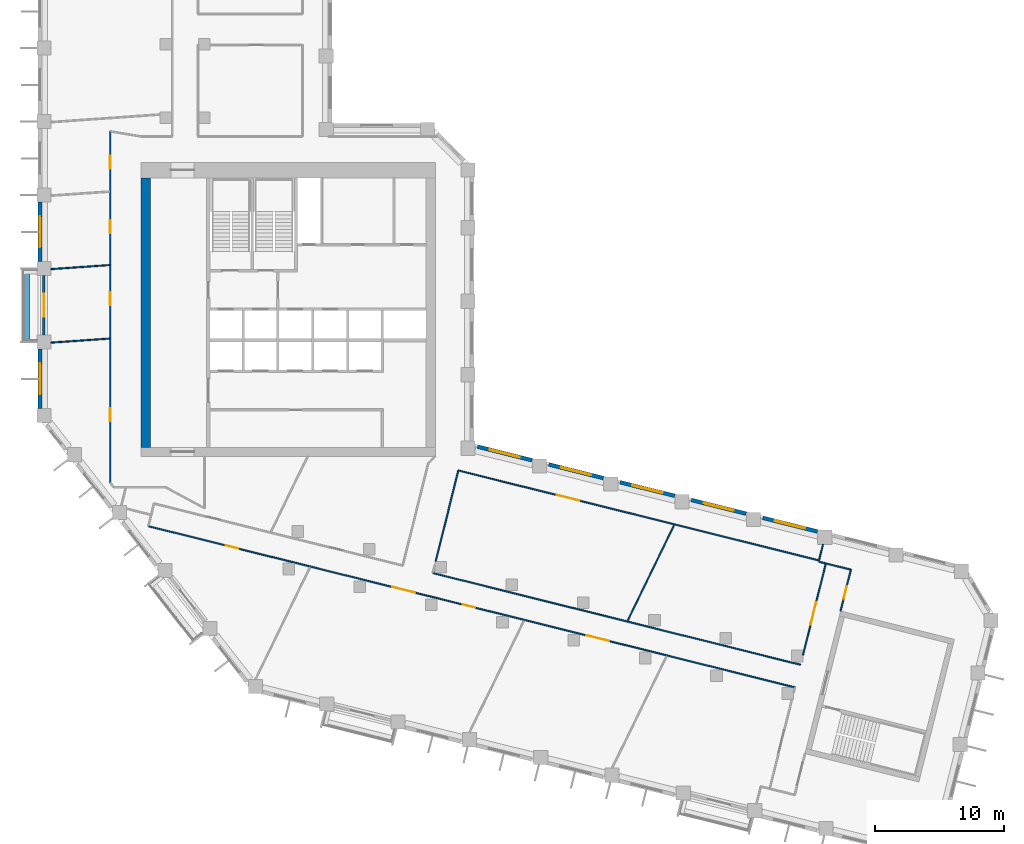
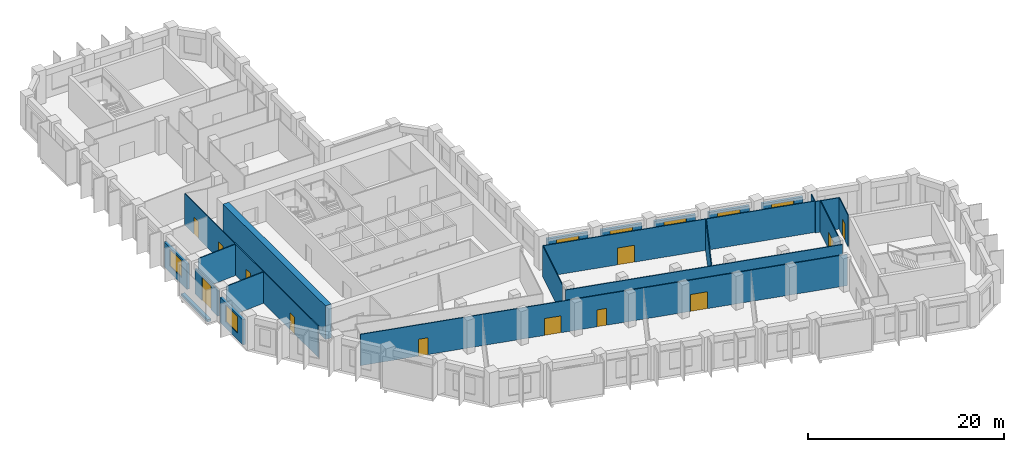
# One storey, part 4 of 10: 23 walls, 12 doors, 7 windows, 19 openings.
"""IFC4 building model written with IfcOpenShell, lengths in metres."""

import ifcopenshell
import ifcopenshell.guid

model = None  # the IFC model being written
_history = None  # IfcOwnerHistory: only IFC2X3 demands one
_inside = {}  # id of a spatial element -> (the spatial element, [elements in it])
_under = {}  # id of a project, library or spatial element -> (it, [spatial elements below it])
_declared = {}  # id of a project -> (the project, [libraries it declares])
_typed = {}  # id of a type object -> (the type object, [elements of that type])
_made_of = {}  # id of a material, layer set ... -> (it, [elements and type objects made of it])


def new_model(schema):
    """Start an empty IFC model of exactly this schema.

    Asked for "IFC4X3", IfcOpenShell would pick the latest addendum, in which some entities
    have other attributes; the version numbers below select the first issue.
    IFC2X3 requires an IfcOwnerHistory on every rooted entity: one is made here for all.
    """
    global model, _history
    if schema == "IFC4X3":
        model = ifcopenshell.file(schema_version=(4, 3, 0, 0))
    else:
        model = ifcopenshell.file(schema=schema)
    _inside.clear()
    _under.clear()
    _declared.clear()
    _typed.clear()
    _made_of.clear()
    _history = None
    if model.schema == "IFC2X3":
        org = make("IfcOrganization", Name="unknown")
        user = make(
            "IfcPersonAndOrganization",
            ThePerson=make("IfcPerson", FamilyName="unknown"),
            TheOrganization=org,
        )
        app = make(
            "IfcApplication",
            ApplicationDeveloper=org,
            Version="unknown",
            ApplicationFullName="unknown",
            ApplicationIdentifier="unknown",
        )
        _history = make(
            "IfcOwnerHistory",
            OwningUser=user,
            OwningApplication=app,
            ChangeAction="ADDED",
            CreationDate=0,
        )
    return model


def make(cls, **values):
    """One entity of the class cls with the attributes given. An attribute that is None is left unset."""
    return model.create_entity(
        cls, **{name: value for name, value in values.items() if value is not None}
    )


def rooted(cls, **values):
    """An entity with a GlobalId (a new one), such as an element, a storey or a relation."""
    return make(cls, GlobalId=ifcopenshell.guid.new(), OwnerHistory=_history, **values)


def si_unit(unit_type, name, prefix=None):
    """IfcSIUnit, for example si_unit("LENGTHUNIT", "METRE", prefix="MILLI")."""
    return make("IfcSIUnit", UnitType=unit_type, Prefix=prefix, Name=name)


def assignment(units):
    """IfcUnitAssignment: the units of a project."""
    return None if units is None else make("IfcUnitAssignment", Units=units)


def point(xyz):
    """IfcCartesianPoint."""
    return None if xyz is None else make("IfcCartesianPoint", Coordinates=xyz)


def direction(xyz):
    """IfcDirection."""
    return None if xyz is None else make("IfcDirection", DirectionRatios=xyz)


def frame(location, z_axis=None, x_axis=None):
    """IfcAxis2Placement3D, a coordinate frame: its origin and axes. An axis left out is left unset."""
    return make(
        "IfcAxis2Placement3D",
        Location=point(location),
        Axis=direction(z_axis),
        RefDirection=direction(x_axis),
    )


def frame_2d(location, x_axis=None):
    """IfcAxis2Placement2D, a coordinate frame in the plane: its origin and x axis."""
    return make(
        "IfcAxis2Placement2D", Location=point(location), RefDirection=direction(x_axis)
    )


def origin():
    """The frame at (0, 0, 0) with its axes left unset."""
    return frame((0.0, 0.0, 0.0))


def place(relative_to, where):
    """IfcLocalPlacement: puts the frame where relative to a parent placement (None: the world)."""
    return make(
        "IfcLocalPlacement", PlacementRelTo=relative_to, RelativePlacement=where
    )


def context(
    kind, dimensions, precision=None, world=None, true_north=None, identifier=None
):
    """IfcGeometricRepresentationContext, for example the 3D "Model" context."""
    return make(
        "IfcGeometricRepresentationContext",
        ContextIdentifier=identifier,
        ContextType=kind,
        CoordinateSpaceDimension=dimensions,
        Precision=precision,
        WorldCoordinateSystem=world,
        TrueNorth=true_north,
    )


def subcontext(parent, identifier, kind, view, scale=None):
    """IfcGeometricRepresentationSubContext, for example "Body" below "Model"."""
    return make(
        "IfcGeometricRepresentationSubContext",
        ContextIdentifier=identifier,
        ContextType=kind,
        ParentContext=parent,
        TargetScale=scale,
        TargetView=view,
    )


def project(units=None, contexts=None):
    """IfcProject with its units and contexts."""
    return rooted(
        "IfcProject",
        Name="project",
        RepresentationContexts=contexts,
        UnitsInContext=assignment(units),
    )


def spatial(cls, under=None, at=None, **own):
    """A site, building, storey or space (cls), placed at a placement, below another one or the project."""
    s = rooted(cls, ObjectPlacement=at, **own)
    if under is not None:
        _under.setdefault(under.id(), (under, []))[1].append(s)
    return s


def profile(cls, at=None, kind="AREA", **sizes):
    """A parametric profile (cls). Its sizes go by their IFC names, for example OverallWidth=200.0."""
    return make(cls, ProfileType=kind, Position=at, **sizes)


def rectangle(**sizes):
    """IfcRectangleProfileDef."""
    return profile("IfcRectangleProfileDef", **sizes)


def extrude(swept, where, along, depth):
    """IfcExtrudedAreaSolid: the profile swept, set in the frame where, extruded along a direction by depth."""
    return make(
        "IfcExtrudedAreaSolid",
        SweptArea=swept,
        Position=where,
        ExtrudedDirection=direction(along),
        Depth=depth,
    )


def shape(context_of_items, identifier, shape_type, items):
    """IfcShapeRepresentation: the items that make up one representation, for example the "Body"."""
    return make(
        "IfcShapeRepresentation",
        ContextOfItems=context_of_items,
        RepresentationIdentifier=identifier,
        RepresentationType=shape_type,
        Items=items,
    )


def material(Name=None, Category=None):
    """IfcMaterial."""
    return make("IfcMaterial", Name=Name, Category=Category)


def layer(
    of_material, thickness, ventilated=None, Name=None, Category=None, Priority=None
):
    """IfcMaterialLayer: one layer of a wall or slab, of a material (None: an air gap)."""
    return make(
        "IfcMaterialLayer",
        Material=of_material,
        LayerThickness=thickness,
        IsVentilated=ventilated,
        Name=Name,
        Category=Category,
        Priority=Priority,
    )


def layer_set(layers, Name=None):
    """IfcMaterialLayerSet."""
    return make("IfcMaterialLayerSet", MaterialLayers=layers, LayerSetName=Name)


def made_of(thing, what):
    """Note that an element or type object is made of a material, layer set ...; save() writes the relation."""
    if what is not None:
        _made_of.setdefault(what.id(), (what, []))[1].append(thing)
    return thing


def type_object(cls, material=None, **own):
    """A type object (cls), such as IfcWallType, which elements share."""
    return made_of(rooted(cls, **own), material)


def element(
    cls,
    number,
    at=None,
    inside=None,
    cuts=None,
    type_object=None,
    material=None,
    context=None,
    identifier="Body",
    shape_type=None,
    held_by="IfcProductDefinitionShape",
    body=None,
    shapes=None,
    **own,
):
    """One element of the class cls, such as IfcWall. Its Tag is "e" and its number.

    at: its placement. inside: the storey or other place that contains it. cuts: it is an
    opening in that element (IfcRelVoidsElement). A single representation is given by context,
    identifier, shape_type and body (its items); several are given by shapes. held_by: the class
    of the entity that holds the representations. save() writes the other relations.
    """
    e = rooted(cls, Tag="e%d" % number, ObjectPlacement=at, **own)
    if body is not None:
        shapes = [shape(context, identifier, shape_type, body)]
    if shapes is not None:
        e.Representation = make(held_by, Representations=shapes)
    if inside is not None:
        _inside.setdefault(inside.id(), (inside, []))[1].append(e)
    if cuts is not None:
        rooted(
            "IfcRelVoidsElement", RelatingBuildingElement=cuts, RelatedOpeningElement=e
        )
    if type_object is not None:
        _typed.setdefault(type_object.id(), (type_object, []))[1].append(e)
    return made_of(e, material)


def fill(opening, filler):
    """IfcRelFillsElement: the door or window that sits in an opening."""
    return rooted(
        "IfcRelFillsElement",
        RelatingOpeningElement=opening,
        RelatedBuildingElement=filler,
    )


def aggregate(whole, parts):
    """IfcRelAggregates: a whole, such as a stair, and the parts it consists of."""
    return rooted("IfcRelAggregates", RelatingObject=whole, RelatedObjects=parts)


def save(model, path):
    """Write the relations noted so far, then the file.

    IfcRelAggregates (storeys below a building ...), IfcRelContainedInSpatialStructure (elements
    in a storey), IfcRelDefinesByType, IfcRelAssociatesMaterial and IfcRelDeclares: one each for
    every whole, place, type object, material and project.
    """
    for whole, parts in _under.values():
        aggregate(whole, parts)
    for where, things in _inside.values():
        rooted(
            "IfcRelContainedInSpatialStructure",
            RelatedElements=things,
            RelatingStructure=where,
        )
    for kind, things in _typed.values():
        rooted("IfcRelDefinesByType", RelatedObjects=things, RelatingType=kind)
    for what, things in _made_of.values():
        rooted("IfcRelAssociatesMaterial", RelatedObjects=things, RelatingMaterial=what)
    for by, libraries in _declared.values():
        rooted("IfcRelDeclares", RelatingContext=by, RelatedDefinitions=libraries)
    model.write(path)


model = new_model("IFC4")

# Units and contexts
model_context = context("Model", 3, precision=1e-05, world=origin(), true_north=direction((0.0, 1.0)))
body_context = subcontext(model_context, "Body", "Model", "MODEL_VIEW")
ifc_project = project(units=[si_unit("LENGTHUNIT", "METRE"), si_unit("AREAUNIT", "SQUARE_METRE"), si_unit("VOLUMEUNIT", "CUBIC_METRE"), si_unit("PLANEANGLEUNIT", "RADIAN"), si_unit("MASSUNIT", "GRAM", prefix="KILO")], contexts=[model_context])

# Site, building, storey
site_placement = place(None, origin())
site = spatial("IfcSite", under=ifc_project, at=site_placement, CompositionType="ELEMENT")
building_placement = place(site_placement, origin())
building = spatial("IfcBuilding", under=site, at=building_placement, Name="Meshkara Civic Tower", CompositionType="ELEMENT")
storey_placement = place(building_placement, frame((0.0, 0.0, 276.0)))
storey = spatial("IfcBuildingStorey", under=building, at=storey_placement, Name="L63", CompositionType="ELEMENT", Elevation=276.0)

# Wall
ifc_material_1 = material(Name="Concrete C60", Category="concrete")
ifc_layer_1 = layer(ifc_material_1, 0.699951171875)
ifc_layer_set_1 = layer_set([ifc_layer_1], Name="Core ring wall 700 C60")
wall_type_1 = type_object("IfcWallType", Name="Core ring wall 700 C60", PredefinedType="SHEAR", material=ifc_layer_set_1)
wall_1_placement = place(storey_placement, frame((8.35009765625, 14.800048828125, -0.300048828125), z_axis=(0.0, 0.0, 1.0), x_axis=(0.0, 1.0, 0.0)))
element("IfcWall", 1, at=wall_1_placement, inside=storey, type_object=wall_type_1, Name="L63-C003", PredefinedType="SHEAR", context=body_context, shape_type="SweptSolid", body=[
    extrude(rectangle(XDim=20.89990234375, YDim=0.699951171875, at=frame_2d((10.449951171875, 0.0))), origin(), (0.0, 0.0, 1.0), 4.199951171875),
])

# Wall, openings, doors
ifc_material_2 = material(Name="Corridor wall 100")
ifc_layer_2 = layer(ifc_material_2, 0.10009765625)
ifc_layer_set_2 = layer_set([ifc_layer_2], Name="Corridor wall 100")
wall_type_2 = type_object("IfcWallType", Name="Corridor wall 100", PredefinedType="PARTITIONING", material=ifc_layer_set_2)
wall_2_placement = place(storey_placement, frame((5.60009765625, 12.04296875, 0.0), z_axis=(0.0, 0.0, 1.0), x_axis=(0.0, 1.0, 0.0)))
wall_2 = element("IfcWall", 2, at=wall_2_placement, inside=storey, type_object=wall_type_2, Name="L63-W003", PredefinedType="PARTITIONING", context=body_context, shape_type="SweptSolid", body=[
    extrude(rectangle(XDim=27.257080078125, YDim=0.10009765625, at=frame_2d((13.62841796875, 0.0))), origin(), (0.0, 0.0, 1.0), 3.89990234375),
])
opening_1_placement = place(wall_2_placement, frame((4.780029296875, 0.0, 0.0)))
opening_1 = element("IfcOpeningElement", 3, at=opening_1_placement, cuts=wall_2, Name="Opening L63-D012", PredefinedType="OPENING", context=body_context, shape_type="SweptSolid", body=[
    extrude(rectangle(XDim=1.0, YDim=2.10009765625, at=frame_2d((0.5, 1.050048828125))), frame((0.0, 0.06005859375, 0.0), z_axis=(0.0, -1.0, 0.0), x_axis=(1.0, 0.0, 0.0)), (0.0, 0.0, 1.0), 0.1201171875),
])
opening_2_placement = place(wall_2_placement, frame((13.76806640625, 0.0, 0.0)))
opening_2 = element("IfcOpeningElement", 4, at=opening_2_placement, cuts=wall_2, Name="Opening L63-D013", PredefinedType="OPENING", context=body_context, shape_type="SweptSolid", body=[
    extrude(rectangle(XDim=1.0, YDim=2.10009765625, at=frame_2d((0.5, 1.050048828125))), frame((0.0, 0.06005859375, 0.0), z_axis=(0.0, -1.0, 0.0), x_axis=(1.0, 0.0, 0.0)), (0.0, 0.0, 1.0), 0.1201171875),
])
opening_3_placement = place(wall_2_placement, frame((19.367919921875, 0.0, 0.0)))
opening_3 = element("IfcOpeningElement", 5, at=opening_3_placement, cuts=wall_2, Name="Opening L63-D014", PredefinedType="OPENING", context=body_context, shape_type="SweptSolid", body=[
    extrude(rectangle(XDim=1.0, YDim=2.10009765625, at=frame_2d((0.5, 1.050048828125))), frame((0.0, 0.06005859375, 0.0), z_axis=(0.0, -1.0, 0.0), x_axis=(1.0, 0.0, 0.0)), (0.0, 0.0, 1.0), 0.1201171875),
])
opening_4_placement = place(wall_2_placement, frame((24.367919921875, 0.0, 0.0)))
opening_4 = element("IfcOpeningElement", 6, at=opening_4_placement, cuts=wall_2, Name="Opening L63-D015", PredefinedType="OPENING", context=body_context, shape_type="SweptSolid", body=[
    extrude(rectangle(XDim=1.0, YDim=2.10009765625, at=frame_2d((0.5, 1.050048828125))), frame((0.0, 0.06005859375, 0.0), z_axis=(0.0, -1.0, 0.0), x_axis=(1.0, 0.0, 0.0)), (0.0, 0.0, 1.0), 0.1201171875),
])
ifc_material_3 = material(Name="Door 1000 x 2100")
door_type_1 = type_object("IfcDoorType", Name="Door 1000 x 2100", OperationType="SINGLE_SWING_LEFT", PredefinedType="DOOR", material=ifc_material_3)
door_1_placement = place(opening_1_placement, origin())
door_1 = element("IfcDoor", 7, at=door_1_placement, inside=storey, type_object=door_type_1, Name="L63-D012", OperationType="SINGLE_SWING_LEFT", OverallHeight=2.10009765625, OverallWidth=1.0, PredefinedType="DOOR", context=body_context, shape_type="SweptSolid", body=[
    extrude(rectangle(XDim=1.0, YDim=2.10009765625, at=frame_2d((0.5, 1.050048828125))), frame((0.0, 0.02490234375, 0.0), z_axis=(0.0, -1.0, 0.0), x_axis=(1.0, 0.0, 0.0)), (0.0, 0.0, 1.0), 0.050048828125),
])
fill(opening_1, door_1)
door_2_placement = place(opening_2_placement, origin())
door_2 = element("IfcDoor", 8, at=door_2_placement, inside=storey, type_object=door_type_1, Name="L63-D013", OperationType="SINGLE_SWING_RIGHT", OverallHeight=2.10009765625, OverallWidth=1.0, PredefinedType="DOOR", context=body_context, shape_type="SweptSolid", body=[
    extrude(rectangle(XDim=1.0, YDim=2.10009765625, at=frame_2d((0.5, 1.050048828125))), frame((0.0, 0.02490234375, 0.0), z_axis=(0.0, -1.0, 0.0), x_axis=(1.0, 0.0, 0.0)), (0.0, 0.0, 1.0), 0.050048828125),
])
fill(opening_2, door_2)
door_3_placement = place(opening_3_placement, origin())
door_3 = element("IfcDoor", 9, at=door_3_placement, inside=storey, type_object=door_type_1, Name="L63-D014", OperationType="SINGLE_SWING_RIGHT", OverallHeight=2.10009765625, OverallWidth=1.0, PredefinedType="DOOR", context=body_context, shape_type="SweptSolid", body=[
    extrude(rectangle(XDim=1.0, YDim=2.10009765625, at=frame_2d((0.5, 1.050048828125))), frame((0.0, 0.02490234375, 0.0), z_axis=(0.0, -1.0, 0.0), x_axis=(1.0, 0.0, 0.0)), (0.0, 0.0, 1.0), 0.050048828125),
])
fill(opening_3, door_3)
door_4_placement = place(opening_4_placement, origin())
door_4 = element("IfcDoor", 10, at=door_4_placement, inside=storey, type_object=door_type_1, Name="L63-D015", OperationType="SINGLE_SWING_LEFT", OverallHeight=2.10009765625, OverallWidth=1.0, PredefinedType="DOOR", context=body_context, shape_type="SweptSolid", body=[
    extrude(rectangle(XDim=1.0, YDim=2.10009765625, at=frame_2d((0.5, 1.050048828125))), frame((0.0, 0.02490234375, 0.0), z_axis=(0.0, -1.0, 0.0), x_axis=(1.0, 0.0, 0.0)), (0.0, 0.0, 1.0), 0.050048828125),
])
fill(opening_4, door_4)

wall_3_placement = place(storey_placement, frame((8.550048828125, 8.68505859375, 0.0), z_axis=(0.0, 0.0, 1.0), x_axis=(0.970297101369, -0.241916380335, 0.0)))
wall_3 = element("IfcWall", 11, at=wall_3_placement, inside=storey, type_object=wall_type_2, Name="L63-W008", PredefinedType="PARTITIONING", context=body_context, shape_type="SweptSolid", body=[
    extrude(rectangle(XDim=51.6748046875, YDim=0.10009765625, at=frame_2d((25.83740234375, 0.0))), origin(), (0.0, 0.0, 1.0), 3.89990234375),
])
opening_5_placement = place(wall_3_placement, frame((35.01806640625, 0.0, 0.0)))
opening_5 = element("IfcOpeningElement", 12, at=opening_5_placement, cuts=wall_3, Name="Opening L63-D003", PredefinedType="OPENING", context=body_context, shape_type="SweptSolid", body=[
    extrude(rectangle(XDim=1.800048828125, YDim=2.10009765625, at=frame_2d((0.89990234375, 1.050048828125))), frame((0.0, 0.06005859375, 0.0), z_axis=(0.0, -1.0, 0.0), x_axis=(1.0, 0.0, 0.0)), (0.0, 0.0, 1.0), 0.1201171875),
])
opening_6_placement = place(wall_3_placement, frame((19.51806640625, 0.0, 0.0)))
opening_6 = element("IfcOpeningElement", 13, at=opening_6_placement, cuts=wall_3, Name="Opening L63-D004", PredefinedType="OPENING", context=body_context, shape_type="SweptSolid", body=[
    extrude(rectangle(XDim=1.800048828125, YDim=2.10009765625, at=frame_2d((0.89990234375, 1.050048828125))), frame((0.0, 0.06005859375, 0.0), z_axis=(0.0, -1.0, 0.0), x_axis=(1.0, 0.0, 0.0)), (0.0, 0.0, 1.0), 0.1201171875),
])
opening_7_placement = place(wall_3_placement, frame((25.117919921875, 0.0, 0.0)))
opening_7 = element("IfcOpeningElement", 14, at=opening_7_placement, cuts=wall_3, Name="Opening L63-D005", PredefinedType="OPENING", context=body_context, shape_type="SweptSolid", body=[
    extrude(rectangle(XDim=1.0, YDim=2.10009765625, at=frame_2d((0.5, 1.050048828125))), frame((0.0, 0.06005859375, 0.0), z_axis=(0.0, -1.0, 0.0), x_axis=(1.0, 0.0, 0.0)), (0.0, 0.0, 1.0), 0.1201171875),
])
opening_8_placement = place(wall_3_placement, frame((6.179931640625, 0.0, 0.0)))
opening_8 = element("IfcOpeningElement", 15, at=opening_8_placement, cuts=wall_3, Name="Opening L63-D009", PredefinedType="OPENING", context=body_context, shape_type="SweptSolid", body=[
    extrude(rectangle(XDim=1.0, YDim=2.10009765625, at=frame_2d((0.5, 1.050048828125))), frame((0.0, 0.06005859375, 0.0), z_axis=(0.0, -1.0, 0.0), x_axis=(1.0, 0.0, 0.0)), (0.0, 0.0, 1.0), 0.1201171875),
])
door_5_placement = place(opening_7_placement, origin())
door_5 = element("IfcDoor", 16, at=door_5_placement, inside=storey, type_object=door_type_1, Name="L63-D005", OperationType="SINGLE_SWING_LEFT", OverallHeight=2.10009765625, OverallWidth=1.0, PredefinedType="DOOR", context=body_context, shape_type="SweptSolid", body=[
    extrude(rectangle(XDim=1.0, YDim=2.10009765625, at=frame_2d((0.5, 1.050048828125))), frame((0.0, 0.02490234375, 0.0), z_axis=(0.0, -1.0, 0.0), x_axis=(1.0, 0.0, 0.0)), (0.0, 0.0, 1.0), 0.050048828125),
])
fill(opening_7, door_5)
door_6_placement = place(opening_8_placement, origin())
door_6 = element("IfcDoor", 17, at=door_6_placement, inside=storey, type_object=door_type_1, Name="L63-D009", OperationType="SINGLE_SWING_LEFT", OverallHeight=2.10009765625, OverallWidth=1.0, PredefinedType="DOOR", context=body_context, shape_type="SweptSolid", body=[
    extrude(rectangle(XDim=1.0, YDim=2.10009765625, at=frame_2d((0.5, 1.050048828125))), frame((0.0, 0.02490234375, 0.0), z_axis=(0.0, -1.0, 0.0), x_axis=(1.0, 0.0, 0.0)), (0.0, 0.0, 1.0), 0.050048828125),
])
fill(opening_8, door_6)
ifc_material_4 = material(Name="Door pair 1800 x 2100")
door_type_2 = type_object("IfcDoorType", Name="Door pair 1800 x 2100", OperationType="SINGLE_SWING_LEFT", PredefinedType="DOOR", material=ifc_material_4)
door_7_placement = place(opening_5_placement, origin())
door_7 = element("IfcDoor", 18, at=door_7_placement, inside=storey, type_object=door_type_2, Name="L63-D003", OperationType="DOUBLE_DOOR_SINGLE_SWING", OverallHeight=2.10009765625, OverallWidth=1.800048828125, PredefinedType="DOOR", context=body_context, shape_type="SweptSolid", body=[
    extrude(rectangle(XDim=1.800048828125, YDim=2.10009765625, at=frame_2d((0.89990234375, 1.050048828125))), frame((0.0, 0.02490234375, 0.0), z_axis=(0.0, -1.0, 0.0), x_axis=(1.0, 0.0, 0.0)), (0.0, 0.0, 1.0), 0.050048828125),
])
fill(opening_5, door_7)
door_8_placement = place(opening_6_placement, origin())
door_8 = element("IfcDoor", 19, at=door_8_placement, inside=storey, type_object=door_type_2, Name="L63-D004", OperationType="DOUBLE_DOOR_SINGLE_SWING", OverallHeight=2.10009765625, OverallWidth=1.800048828125, PredefinedType="DOOR", context=body_context, shape_type="SweptSolid", body=[
    extrude(rectangle(XDim=1.800048828125, YDim=2.10009765625, at=frame_2d((0.89990234375, 1.050048828125))), frame((0.0, 0.02490234375, 0.0), z_axis=(0.0, -1.0, 0.0), x_axis=(1.0, 0.0, 0.0)), (0.0, 0.0, 1.0), 0.050048828125),
])
fill(opening_6, door_8)

# Walls
wall_4_placement = place(storey_placement, frame((30.60498046875, 5.050048828125, 0.0), z_axis=(0.0, 0.0, 1.0), x_axis=(0.970299606839, -0.24190633098, 0.0)))
element("IfcWall", 20, at=wall_4_placement, inside=storey, type_object=wall_type_2, Name="L63-W027", PredefinedType="PARTITIONING", context=body_context, shape_type="SweptSolid", body=[
    extrude(rectangle(XDim=29.39599609375, YDim=0.10009765625, at=frame_2d((14.697998046875, 0.0))), origin(), (0.0, 0.0, 1.0), 3.89990234375),
])
wall_5_placement = place(storey_placement, frame((30.8330078125, 5.962890625, 0.0), z_axis=(0.0, 0.0, 1.0), x_axis=(0.241902093757, 0.970300663215, 0.0)))
element("IfcWall", 21, at=wall_5_placement, inside=storey, type_object=wall_type_2, Name="L63-W030", PredefinedType="PARTITIONING", context=body_context, shape_type="SweptSolid", body=[
    extrude(rectangle(XDim=7.254638671875, YDim=0.10009765625, at=frame_2d((3.62744140625, 0.0))), origin(), (0.0, 0.0, 1.0), 3.89990234375),
])

# Wall, opening, door
wall_6_placement = place(storey_placement, frame((32.587890625, 13.001953125, 0.0), z_axis=(0.0, 0.0, 1.0), x_axis=(0.970298247321, -0.241911784018, 0.0)))
wall_6 = element("IfcWall", 22, at=wall_6_placement, inside=storey, type_object=wall_type_2, Name="L63-W032", PredefinedType="PARTITIONING", context=body_context, shape_type="SweptSolid", body=[
    extrude(rectangle(XDim=28.82421875, YDim=0.10009765625, at=frame_2d((14.412109375, 0.0))), origin(), (0.0, 0.0, 1.0), 3.89990234375),
])
opening_9_placement = place(wall_6_placement, frame((7.8798828125, 0.0, 0.0)))
opening_9 = element("IfcOpeningElement", 23, at=opening_9_placement, cuts=wall_6, Name="Opening L63-D011", PredefinedType="OPENING", context=body_context, shape_type="SweptSolid", body=[
    extrude(rectangle(XDim=1.800048828125, YDim=2.10009765625, at=frame_2d((0.89990234375, 1.050048828125))), frame((0.0, 0.06005859375, 0.0), z_axis=(0.0, -1.0, 0.0), x_axis=(1.0, 0.0, 0.0)), (0.0, 0.0, 1.0), 0.1201171875),
])
door_9_placement = place(opening_9_placement, origin())
door_9 = element("IfcDoor", 24, at=door_9_placement, inside=storey, type_object=door_type_2, Name="L63-D011", OperationType="DOUBLE_DOOR_SINGLE_SWING", OverallHeight=2.10009765625, OverallWidth=1.800048828125, PredefinedType="DOOR", context=body_context, shape_type="SweptSolid", body=[
    extrude(rectangle(XDim=1.800048828125, YDim=2.10009765625, at=frame_2d((0.89990234375, 1.050048828125))), frame((0.0, 0.02490234375, 0.0), z_axis=(0.0, -1.0, 0.0), x_axis=(1.0, 0.0, 0.0)), (0.0, 0.0, 1.0), 0.050048828125),
])
fill(opening_9, door_9)

# Wall
wall_7_placement = place(storey_placement, frame((60.555908203125, 6.029052734375, 0.0), z_axis=(0.0, 0.0, 1.0), x_axis=(0.24168476558, 0.970354818655, 0.0)))
element("IfcWall", 25, at=wall_7_placement, inside=storey, type_object=wall_type_2, Name="L63-W037", PredefinedType="PARTITIONING", context=body_context, shape_type="SweptSolid", body=[
    extrude(rectangle(XDim=1.282958984375, YDim=0.10009765625, at=frame_2d((0.6416015625, 0.0))), origin(), (0.0, 0.0, 1.0), 3.89990234375),
])

# Wall, opening, door
wall_8_placement = place(storey_placement, frame((61.0859375, 5.7939453125, 0.0), z_axis=(0.0, 0.0, 1.0), x_axis=(-0.241861257594, -0.970310843016, 0.0)))
wall_8 = element("IfcWall", 26, at=wall_8_placement, inside=storey, type_object=wall_type_2, Name="L63-W038", PredefinedType="PARTITIONING", context=body_context, shape_type="SweptSolid", body=[
    extrude(rectangle(XDim=7.326416015625, YDim=0.10009765625, at=frame_2d((3.6630859375, 0.0))), origin(), (0.0, 0.0, 1.0), 3.89990234375),
])
opening_10_placement = place(wall_8_placement, frame((3.080078125, 0.0, 0.0)))
opening_10 = element("IfcOpeningElement", 27, at=opening_10_placement, cuts=wall_8, Name="Opening L63-D006", PredefinedType="OPENING", context=body_context, shape_type="SweptSolid", body=[
    extrude(rectangle(XDim=1.800048828125, YDim=2.10009765625, at=frame_2d((0.89990234375, 1.050048828125))), frame((0.0, 0.06005859375, 0.0), z_axis=(0.0, -1.0, 0.0), x_axis=(1.0, 0.0, 0.0)), (0.0, 0.0, 1.0), 0.1201171875),
])
door_10_placement = place(opening_10_placement, origin())
door_10 = element("IfcDoor", 28, at=door_10_placement, inside=storey, type_object=door_type_2, Name="L63-D006", OperationType="DOUBLE_DOOR_SINGLE_SWING", OverallHeight=2.10009765625, OverallWidth=1.800048828125, PredefinedType="DOOR", context=body_context, shape_type="SweptSolid", body=[
    extrude(rectangle(XDim=1.800048828125, YDim=2.10009765625, at=frame_2d((0.89990234375, 1.050048828125))), frame((0.0, 0.02490234375, 0.0), z_axis=(0.0, -1.0, 0.0), x_axis=(1.0, 0.0, 0.0)), (0.0, 0.0, 1.0), 0.050048828125),
])
fill(opening_10, door_10)

wall_9_placement = place(storey_placement, frame((62.22900390625, 2.10791015625, 0.0), z_axis=(0.0, 0.0, 1.0), x_axis=(0.241839284064, 0.97031631991, 0.0)))
wall_9 = element("IfcWall", 29, at=wall_9_placement, inside=storey, type_object=wall_type_2, Name="L63-W039", PredefinedType="PARTITIONING", context=body_context, shape_type="SweptSolid", body=[
    extrude(rectangle(XDim=3.300048828125, YDim=0.10009765625, at=frame_2d((1.64990234375, 0.0))), origin(), (0.0, 0.0, 1.0), 3.89990234375),
])
opening_11_placement = place(wall_9_placement, frame((0.97998046875, 0.0, 0.0)))
opening_11 = element("IfcOpeningElement", 30, at=opening_11_placement, cuts=wall_9, Name="Opening L63-D007", PredefinedType="OPENING", context=body_context, shape_type="SweptSolid", body=[
    extrude(rectangle(XDim=1.0, YDim=2.10009765625, at=frame_2d((0.5, 1.050048828125))), frame((0.0, 0.06005859375, 0.0), z_axis=(0.0, -1.0, 0.0), x_axis=(1.0, 0.0, 0.0)), (0.0, 0.0, 1.0), 0.1201171875),
])
door_11_placement = place(opening_11_placement, origin())
door_11 = element("IfcDoor", 31, at=door_11_placement, inside=storey, type_object=door_type_1, Name="L63-D007", OperationType="SINGLE_SWING_RIGHT", OverallHeight=2.10009765625, OverallWidth=1.0, PredefinedType="DOOR", context=body_context, shape_type="SweptSolid", body=[
    extrude(rectangle(XDim=1.0, YDim=2.10009765625, at=frame_2d((0.5, 1.050048828125))), frame((0.0, 0.02490234375, 0.0), z_axis=(0.0, -1.0, 0.0), x_axis=(1.0, 0.0, 0.0)), (0.0, 0.0, 1.0), 0.050048828125),
])
fill(opening_11, door_11)

# Wall
wall_10_placement = place(storey_placement, frame((63.027099609375, 5.31005859375, 0.0), z_axis=(0.0, 0.0, 1.0), x_axis=(-0.970307382734, 0.241875139301, 0.0)))
element("IfcWall", 32, at=wall_10_placement, inside=storey, type_object=wall_type_2, Name="L63-W040", PredefinedType="PARTITIONING", context=body_context, shape_type="SweptSolid", body=[
    extrude(rectangle(XDim=2.00048828125, YDim=0.10009765625, at=frame_2d((1.000244140625, 0.0))), origin(), (0.0, 0.0, 1.0), 3.89990234375),
])

# Wall, opening, window
ifc_material_5 = material(Name="Insulated infill panel with bronze anodised aluminium cladding", Category="aluminium")
ifc_layer_3 = layer(ifc_material_5, 0.300048828125)
ifc_layer_set_3 = layer_set([ifc_layer_3], Name="EXTERNAL INFILL WALL 300")
wall_type_3 = type_object("IfcWallType", Name="EXTERNAL INFILL WALL 300", PredefinedType="SOLIDWALL", material=ifc_layer_set_3)
wall_11_placement = place(storey_placement, frame((60.428955078125, 8.277099609375, 0.0), z_axis=(0.0, 0.0, 1.0), x_axis=(-0.97030676369, 0.241877622649, 0.0)))
wall_11 = element("IfcWall", 33, at=wall_11_placement, inside=storey, type_object=wall_type_3, Name="External wall", PredefinedType="SOLIDWALL", context=body_context, shape_type="SweptSolid", body=[
    extrude(rectangle(XDim=4.365478515625, YDim=0.300048828125, at=frame_2d((2.1826171875, 0.0))), origin(), (0.0, 0.0, 1.0), 3.14990234375),
])
opening_12_placement = place(wall_11_placement, frame((0.98291015625, 0.0, 0.800048828125)))
opening_12 = element("IfcOpeningElement", 34, at=opening_12_placement, cuts=wall_11, Name="Opening W7", PredefinedType="OPENING", context=body_context, shape_type="SweptSolid", body=[
    extrude(rectangle(XDim=2.39990234375, YDim=2.10009765625, at=frame_2d((1.199951171875, 1.050048828125))), frame((0.0, 0.159912109375, 0.0), z_axis=(0.0, -1.0, 0.0), x_axis=(1.0, 0.0, 0.0)), (0.0, 0.0, 1.0), 0.320068359375),
])
ifc_material_6 = material(Name="Tinted double glazing", Category="glass")
window_type = type_object("IfcWindowType", Name="WINDOW 2400x2100", PartitioningType="DOUBLE_PANEL_VERTICAL", PredefinedType="WINDOW", material=ifc_material_6)
window_1_placement = place(opening_12_placement, origin())
window_1 = element("IfcWindow", 35, at=window_1_placement, inside=storey, type_object=window_type, Name="Window", OverallHeight=2.10009765625, OverallWidth=2.39990234375, PartitioningType="DOUBLE_PANEL_VERTICAL", PredefinedType="WINDOW", context=body_context, shape_type="SweptSolid", body=[
    extrude(rectangle(XDim=2.39990234375, YDim=2.10009765625, at=frame_2d((1.199951171875, 1.050048828125))), frame((0.0, 0.030029296875, 0.0), z_axis=(0.0, -1.0, 0.0), x_axis=(1.0, 0.0, 0.0)), (0.0, 0.0, 1.0), 0.06005859375),
])
fill(opening_12, window_1)

wall_12_placement = place(storey_placement, frame((54.89892578125, 9.656005859375, 0.0), z_axis=(0.0, 0.0, 1.0), x_axis=(-0.970319847058, 0.241825131873, 0.0)))
wall_12 = element("IfcWall", 36, at=wall_12_placement, inside=storey, type_object=wall_type_3, Name="External wall", PredefinedType="SOLIDWALL", context=body_context, shape_type="SweptSolid", body=[
    extrude(rectangle(XDim=4.366455078125, YDim=0.300048828125, at=frame_2d((2.18310546875, 0.0))), origin(), (0.0, 0.0, 1.0), 3.14990234375),
])
opening_13_placement = place(wall_12_placement, frame((0.98291015625, 0.0, 0.800048828125)))
opening_13 = element("IfcOpeningElement", 37, at=opening_13_placement, cuts=wall_12, Name="Opening W7", PredefinedType="OPENING", context=body_context, shape_type="SweptSolid", body=[
    extrude(rectangle(XDim=2.39990234375, YDim=2.10009765625, at=frame_2d((1.199951171875, 1.050048828125))), frame((0.0, 0.159912109375, 0.0), z_axis=(0.0, -1.0, 0.0), x_axis=(1.0, 0.0, 0.0)), (0.0, 0.0, 1.0), 0.320068359375),
])
window_2_placement = place(opening_13_placement, origin())
window_2 = element("IfcWindow", 38, at=window_2_placement, inside=storey, type_object=window_type, Name="Window", OverallHeight=2.10009765625, OverallWidth=2.39990234375, PartitioningType="DOUBLE_PANEL_VERTICAL", PredefinedType="WINDOW", context=body_context, shape_type="SweptSolid", body=[
    extrude(rectangle(XDim=2.39990234375, YDim=2.10009765625, at=frame_2d((1.199951171875, 1.050048828125))), frame((0.0, 0.030029296875, 0.0), z_axis=(0.0, -1.0, 0.0), x_axis=(1.0, 0.0, 0.0)), (0.0, 0.0, 1.0), 0.06005859375),
])
fill(opening_13, window_2)

wall_13_placement = place(storey_placement, frame((49.367919921875, 11.034912109375, 0.0), z_axis=(0.0, 0.0, 1.0), x_axis=(-0.970306725873, 0.241877774353, 0.0)))
wall_13 = element("IfcWall", 39, at=wall_13_placement, inside=storey, type_object=wall_type_3, Name="External wall", PredefinedType="SOLIDWALL", context=body_context, shape_type="SweptSolid", body=[
    extrude(rectangle(XDim=4.366455078125, YDim=0.300048828125, at=frame_2d((2.18310546875, 0.0))), origin(), (0.0, 0.0, 1.0), 3.14990234375),
])
opening_14_placement = place(wall_13_placement, frame((0.98291015625, 0.0, 0.800048828125)))
opening_14 = element("IfcOpeningElement", 40, at=opening_14_placement, cuts=wall_13, Name="Opening W7", PredefinedType="OPENING", context=body_context, shape_type="SweptSolid", body=[
    extrude(rectangle(XDim=2.39990234375, YDim=2.10009765625, at=frame_2d((1.199951171875, 1.050048828125))), frame((0.0, 0.159912109375, 0.0), z_axis=(0.0, -1.0, 0.0), x_axis=(1.0, 0.0, 0.0)), (0.0, 0.0, 1.0), 0.320068359375),
])
window_3_placement = place(opening_14_placement, origin())
window_3 = element("IfcWindow", 41, at=window_3_placement, inside=storey, type_object=window_type, Name="Window", OverallHeight=2.10009765625, OverallWidth=2.39990234375, PartitioningType="DOUBLE_PANEL_VERTICAL", PredefinedType="WINDOW", context=body_context, shape_type="SweptSolid", body=[
    extrude(rectangle(XDim=2.39990234375, YDim=2.10009765625, at=frame_2d((1.199951171875, 1.050048828125))), frame((0.0, 0.030029296875, 0.0), z_axis=(0.0, -1.0, 0.0), x_axis=(1.0, 0.0, 0.0)), (0.0, 0.0, 1.0), 0.06005859375),
])
fill(opening_14, window_3)

wall_14_placement = place(storey_placement, frame((43.8369140625, 12.4140625, 0.0), z_axis=(0.0, 0.0, 1.0), x_axis=(-0.97030676369, 0.241877622649, 0.0)))
wall_14 = element("IfcWall", 42, at=wall_14_placement, inside=storey, type_object=wall_type_3, Name="External wall", PredefinedType="SOLIDWALL", context=body_context, shape_type="SweptSolid", body=[
    extrude(rectangle(XDim=4.365478515625, YDim=0.300048828125, at=frame_2d((2.1826171875, 0.0))), origin(), (0.0, 0.0, 1.0), 3.14990234375),
])
opening_15_placement = place(wall_14_placement, frame((0.98291015625, 0.0, 0.800048828125)))
opening_15 = element("IfcOpeningElement", 43, at=opening_15_placement, cuts=wall_14, Name="Opening W7", PredefinedType="OPENING", context=body_context, shape_type="SweptSolid", body=[
    extrude(rectangle(XDim=2.39990234375, YDim=2.10009765625, at=frame_2d((1.199951171875, 1.050048828125))), frame((0.0, 0.159912109375, 0.0), z_axis=(0.0, -1.0, 0.0), x_axis=(1.0, 0.0, 0.0)), (0.0, 0.0, 1.0), 0.320068359375),
])
window_4_placement = place(opening_15_placement, origin())
window_4 = element("IfcWindow", 44, at=window_4_placement, inside=storey, type_object=window_type, Name="Window", OverallHeight=2.10009765625, OverallWidth=2.39990234375, PartitioningType="DOUBLE_PANEL_VERTICAL", PredefinedType="WINDOW", context=body_context, shape_type="SweptSolid", body=[
    extrude(rectangle(XDim=2.39990234375, YDim=2.10009765625, at=frame_2d((1.199951171875, 1.050048828125))), frame((0.0, 0.030029296875, 0.0), z_axis=(0.0, -1.0, 0.0), x_axis=(1.0, 0.0, 0.0)), (0.0, 0.0, 1.0), 0.06005859375),
])
fill(opening_15, window_4)

wall_15_placement = place(storey_placement, frame((38.306884765625, 13.79296875, 0.0), z_axis=(0.0, 0.0, 1.0), x_axis=(-0.970306725873, 0.241877774353, 0.0)))
wall_15 = element("IfcWall", 45, at=wall_15_placement, inside=storey, type_object=wall_type_3, Name="External wall", PredefinedType="SOLIDWALL", context=body_context, shape_type="SweptSolid", body=[
    extrude(rectangle(XDim=4.366455078125, YDim=0.300048828125, at=frame_2d((2.18310546875, 0.0))), origin(), (0.0, 0.0, 1.0), 3.14990234375),
])
opening_16_placement = place(wall_15_placement, frame((0.98291015625, 0.0, 0.800048828125)))
opening_16 = element("IfcOpeningElement", 46, at=opening_16_placement, cuts=wall_15, Name="Opening W7", PredefinedType="OPENING", context=body_context, shape_type="SweptSolid", body=[
    extrude(rectangle(XDim=2.39990234375, YDim=2.10009765625, at=frame_2d((1.199951171875, 1.050048828125))), frame((0.0, 0.159912109375, 0.0), z_axis=(0.0, -1.0, 0.0), x_axis=(1.0, 0.0, 0.0)), (0.0, 0.0, 1.0), 0.320068359375),
])
window_5_placement = place(opening_16_placement, origin())
window_5 = element("IfcWindow", 47, at=window_5_placement, inside=storey, type_object=window_type, Name="Window", OverallHeight=2.10009765625, OverallWidth=2.39990234375, PartitioningType="DOUBLE_PANEL_VERTICAL", PredefinedType="WINDOW", context=body_context, shape_type="SweptSolid", body=[
    extrude(rectangle(XDim=2.39990234375, YDim=2.10009765625, at=frame_2d((1.199951171875, 1.050048828125))), frame((0.0, 0.030029296875, 0.0), z_axis=(0.0, -1.0, 0.0), x_axis=(1.0, 0.0, 0.0)), (0.0, 0.0, 1.0), 0.06005859375),
])
fill(opening_16, window_5)

wall_16_placement = place(storey_placement, frame((0.14990234375, 33.804931640625, 0.0), z_axis=(0.0, 0.0, 1.0), x_axis=(0.0, -1.0, 0.0)))
wall_16 = element("IfcWall", 48, at=wall_16_placement, inside=storey, type_object=wall_type_3, Name="External wall", PredefinedType="SOLIDWALL", context=body_context, shape_type="SweptSolid", body=[
    extrude(rectangle(XDim=4.599853515625, YDim=0.300048828125, at=frame_2d((2.2998046875, 0.0))), origin(), (0.0, 0.0, 1.0), 3.14990234375),
])
opening_17_placement = place(wall_16_placement, frame((1.10009765625, 0.0, 0.800048828125)))
opening_17 = element("IfcOpeningElement", 49, at=opening_17_placement, cuts=wall_16, Name="Opening W7", PredefinedType="OPENING", context=body_context, shape_type="SweptSolid", body=[
    extrude(rectangle(XDim=2.39990234375, YDim=2.10009765625, at=frame_2d((1.199951171875, 1.050048828125))), frame((0.0, 0.159912109375, 0.0), z_axis=(0.0, -1.0, 0.0), x_axis=(1.0, 0.0, 0.0)), (0.0, 0.0, 1.0), 0.320068359375),
])
window_6_placement = place(opening_17_placement, origin())
window_6 = element("IfcWindow", 50, at=window_6_placement, inside=storey, type_object=window_type, Name="Window", OverallHeight=2.10009765625, OverallWidth=2.39990234375, PartitioningType="DOUBLE_PANEL_VERTICAL", PredefinedType="WINDOW", context=body_context, shape_type="SweptSolid", body=[
    extrude(rectangle(XDim=2.39990234375, YDim=2.10009765625, at=frame_2d((1.199951171875, 1.050048828125))), frame((0.0, 0.030029296875, 0.0), z_axis=(0.0, -1.0, 0.0), x_axis=(1.0, 0.0, 0.0)), (0.0, 0.0, 1.0), 0.06005859375),
])
fill(opening_17, window_6)

wall_17_placement = place(storey_placement, frame((0.14990234375, 22.405029296875, 0.0), z_axis=(0.0, 0.0, 1.0), x_axis=(0.0, -1.0, 0.0)))
wall_17 = element("IfcWall", 51, at=wall_17_placement, inside=storey, type_object=wall_type_3, Name="External wall", PredefinedType="SOLIDWALL", context=body_context, shape_type="SweptSolid", body=[
    extrude(rectangle(XDim=4.60009765625, YDim=0.300048828125, at=frame_2d((2.300048828125, 0.0))), origin(), (0.0, 0.0, 1.0), 3.14990234375),
])
opening_18_placement = place(wall_17_placement, frame((1.10009765625, 0.0, 0.800048828125)))
opening_18 = element("IfcOpeningElement", 52, at=opening_18_placement, cuts=wall_17, Name="Opening W7", PredefinedType="OPENING", context=body_context, shape_type="SweptSolid", body=[
    extrude(rectangle(XDim=2.39990234375, YDim=2.10009765625, at=frame_2d((1.199951171875, 1.050048828125))), frame((0.0, 0.159912109375, 0.0), z_axis=(0.0, -1.0, 0.0), x_axis=(1.0, 0.0, 0.0)), (0.0, 0.0, 1.0), 0.320068359375),
])
window_7_placement = place(opening_18_placement, origin())
window_7 = element("IfcWindow", 53, at=window_7_placement, inside=storey, type_object=window_type, Name="Window", OverallHeight=2.10009765625, OverallWidth=2.39990234375, PartitioningType="DOUBLE_PANEL_VERTICAL", PredefinedType="WINDOW", context=body_context, shape_type="SweptSolid", body=[
    extrude(rectangle(XDim=2.39990234375, YDim=2.10009765625, at=frame_2d((1.199951171875, 1.050048828125))), frame((0.0, 0.030029296875, 0.0), z_axis=(0.0, -1.0, 0.0), x_axis=(1.0, 0.0, 0.0)), (0.0, 0.0, 1.0), 0.06005859375),
])
fill(opening_18, window_7)

# Wall, opening, door
ifc_material_7 = material(Name="Insulated infill panel with bronze anodised aluminium cladding", Category="aluminium")
ifc_layer_4 = layer(ifc_material_7, 0.199951171875)
ifc_layer_set_4 = layer_set([ifc_layer_4], Name="LOGGIA BACK WALL 200")
wall_type_4 = type_object("IfcWallType", Name="LOGGIA BACK WALL 200", PredefinedType="SOLIDWALL", material=ifc_layer_set_4)
wall_18_placement = place(storey_placement, frame((0.449951171875, 28.10498046875, 0.0), z_axis=(0.0, 0.0, 1.0), x_axis=(0.0, -1.0, 0.0)))
wall_18 = element("IfcWall", 54, at=wall_18_placement, inside=storey, type_object=wall_type_4, Name="Loggia wall", PredefinedType="SOLIDWALL", context=body_context, shape_type="SweptSolid", body=[
    extrude(rectangle(XDim=4.60009765625, YDim=0.199951171875, at=frame_2d((2.300048828125, 0.0))), origin(), (0.0, 0.0, 1.0), 3.14990234375),
])
opening_19_placement = place(wall_18_placement, frame((1.39990234375, 0.0, 0.0)))
opening_19 = element("IfcOpeningElement", 55, at=opening_19_placement, cuts=wall_18, Name="Opening L63-L002", PredefinedType="OPENING", context=body_context, shape_type="SweptSolid", body=[
    extrude(rectangle(XDim=1.800048828125, YDim=2.89990234375, at=frame_2d((0.89990234375, 1.449951171875))), frame((0.0, 0.10986328125, 0.0), z_axis=(0.0, -1.0, 0.0), x_axis=(1.0, 0.0, 0.0)), (0.0, 0.0, 1.0), 0.219970703125),
])
ifc_material_8 = material(Name="Tinted double glazing", Category="glass")
door_type_3 = type_object("IfcDoorType", Name="LOGGIA DOOR 1800x2900", OperationType="DOUBLE_DOOR_SINGLE_SWING", PredefinedType="DOOR", material=ifc_material_8)
door_12_placement = place(opening_19_placement, origin())
door_12 = element("IfcDoor", 56, at=door_12_placement, inside=storey, type_object=door_type_3, Name="L63-L002", OperationType="DOUBLE_DOOR_SINGLE_SWING", OverallHeight=2.89990234375, OverallWidth=1.800048828125, PredefinedType="DOOR", context=body_context, shape_type="SweptSolid", body=[
    extrude(rectangle(XDim=1.800048828125, YDim=2.89990234375, at=frame_2d((0.89990234375, 1.449951171875))), frame((0.0, 0.02490234375, 0.0), z_axis=(0.0, -1.0, 0.0), x_axis=(1.0, 0.0, 0.0)), (0.0, 0.0, 1.0), 0.050048828125),
])
fill(opening_19, door_12)

# Walls
ifc_material_9 = material(Name="Concrete C40", Category="concrete")
ifc_layer_5 = layer(ifc_material_9, 0.39990234375)
ifc_layer_set_5 = layer_set([ifc_layer_5], Name="PLANTER TRAY")
wall_type_5 = type_object("IfcWallType", Name="PLANTER TRAY", PredefinedType="SOLIDWALL", material=ifc_layer_set_5)
wall_19_placement = place(storey_placement, frame((-0.8798828125, 28.485107421875, 0.0), z_axis=(0.0, 0.0, 1.0), x_axis=(0.0, -1.0, 0.0)))
element("IfcWall", 57, at=wall_19_placement, inside=storey, type_object=wall_type_5, Name="Planter", PredefinedType="SOLIDWALL", context=body_context, shape_type="SweptSolid", body=[
    extrude(rectangle(XDim=5.360107421875, YDim=0.39990234375, at=frame_2d((2.68017578125, 0.0))), origin(), (0.0, 0.0, 1.0), 0.300048828125),
])
ifc_material_10 = material(Name="Partition 100")
ifc_layer_6 = layer(ifc_material_10, 0.10009765625)
ifc_layer_set_6 = layer_set([ifc_layer_6], Name="Partition 100")
wall_type_6 = type_object("IfcWallType", Name="Partition 100", PredefinedType="PARTITIONING", material=ifc_layer_set_6)
for number, where, z_axis, x_axis, name in (
    (58, (5.547119140625, 23.23095703125, 0.0), (0.0, 0.0, 1.0), (-0.997565491957, -0.069735853451, 0.0), "L63-W043"),
    (59, (5.547119140625, 28.930908203125, 0.0), (0.0, 0.0, 1.0), (-0.997565491957, -0.069735853451, 0.0), "L63-W044"),
):
    element("IfcWall", number, at=place(storey_placement, frame(where, z_axis=z_axis, x_axis=x_axis)), inside=storey, type_object=wall_type_6, Name=name, PredefinedType="PARTITIONING", context=body_context, shape_type="SweptSolid", body=[
        extrude(rectangle(XDim=4.55810546875, YDim=0.10009765625, at=frame_2d((2.279052734375, 0.0))), origin(), (0.0, 0.0, 1.0), 3.89990234375),
    ])
wall_20_placement = place(storey_placement, frame((45.7041015625, 1.346923828125, 0.0), z_axis=(0.0, 0.0, 1.0), x_axis=(0.438308860095, 0.898824422878, 0.0)))
element("IfcWall", 60, at=wall_20_placement, inside=storey, type_object=wall_type_6, Name="L63-W054", PredefinedType="PARTITIONING", context=body_context, shape_type="SweptSolid", body=[
    extrude(rectangle(XDim=8.256591796875, YDim=0.10009765625, at=frame_2d((4.12841796875, 0.0))), origin(), (0.0, 0.0, 1.0), 3.89990234375),
])
wall_21_placement = place(storey_placement, frame((61.090087890625, 5.79296875, 0.0), z_axis=(0.0, 0.0, 1.0), x_axis=(-0.970391687927, 0.241536688727, 0.0)))
element("IfcWall", 61, at=wall_21_placement, inside=storey, type_object=wall_type_6, Name="L63-W057", PredefinedType="PARTITIONING", context=body_context, shape_type="SweptSolid", body=[
    extrude(rectangle(XDim=0.5751953125, YDim=0.10009765625, at=frame_2d((0.28759765625, 0.0))), origin(), (0.0, 0.0, 1.0), 3.89990234375),
])

save(model, "model.ifc")
